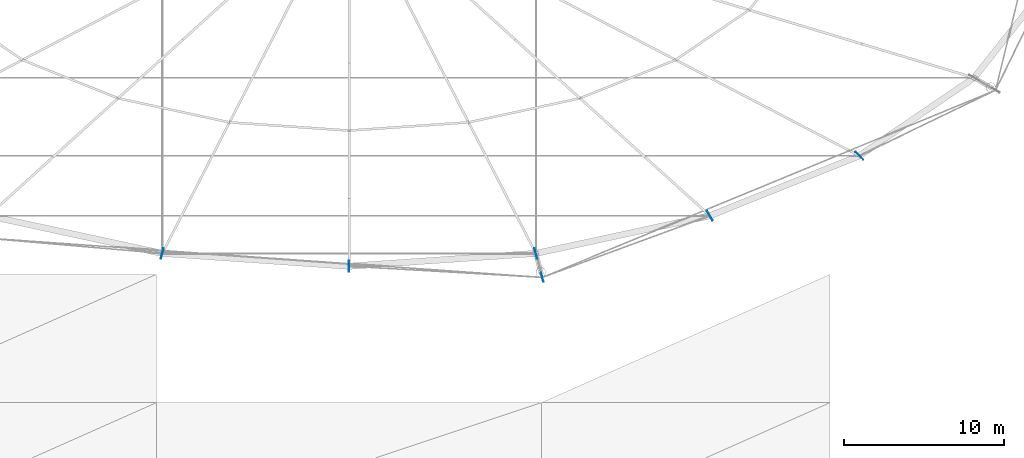
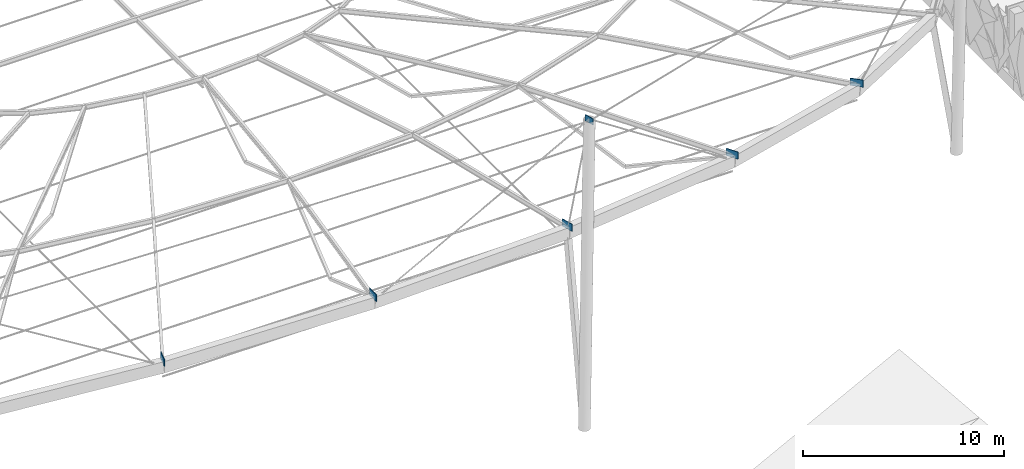
# One storey, part 42 of 96: 6 plates.
"""IFC4 building model written with IfcOpenShell, lengths in metres."""

import ifcopenshell
import ifcopenshell.guid

model = None  # the IFC model being written
_history = None  # IfcOwnerHistory: only IFC2X3 demands one
_inside = {}  # id of a spatial element -> (the spatial element, [elements in it])
_under = {}  # id of a project, library or spatial element -> (it, [spatial elements below it])
_declared = {}  # id of a project -> (the project, [libraries it declares])
_typed = {}  # id of a type object -> (the type object, [elements of that type])
_made_of = {}  # id of a material, layer set ... -> (it, [elements and type objects made of it])


def new_model(schema):
    """Start an empty IFC model of exactly this schema.

    Asked for "IFC4X3", IfcOpenShell would pick the latest addendum, in which some entities
    have other attributes; the version numbers below select the first issue.
    IFC2X3 requires an IfcOwnerHistory on every rooted entity: one is made here for all.
    """
    global model, _history
    if schema == "IFC4X3":
        model = ifcopenshell.file(schema_version=(4, 3, 0, 0))
    else:
        model = ifcopenshell.file(schema=schema)
    _inside.clear()
    _under.clear()
    _declared.clear()
    _typed.clear()
    _made_of.clear()
    _history = None
    if model.schema == "IFC2X3":
        org = make("IfcOrganization", Name="unknown")
        user = make(
            "IfcPersonAndOrganization",
            ThePerson=make("IfcPerson", FamilyName="unknown"),
            TheOrganization=org,
        )
        app = make(
            "IfcApplication",
            ApplicationDeveloper=org,
            Version="unknown",
            ApplicationFullName="unknown",
            ApplicationIdentifier="unknown",
        )
        _history = make(
            "IfcOwnerHistory",
            OwningUser=user,
            OwningApplication=app,
            ChangeAction="ADDED",
            CreationDate=0,
        )
    return model


def make(cls, **values):
    """One entity of the class cls with the attributes given. An attribute that is None is left unset."""
    return model.create_entity(
        cls, **{name: value for name, value in values.items() if value is not None}
    )


def rooted(cls, **values):
    """An entity with a GlobalId (a new one), such as an element, a storey or a relation."""
    return make(cls, GlobalId=ifcopenshell.guid.new(), OwnerHistory=_history, **values)


def si_unit(unit_type, name, prefix=None):
    """IfcSIUnit, for example si_unit("LENGTHUNIT", "METRE", prefix="MILLI")."""
    return make("IfcSIUnit", UnitType=unit_type, Prefix=prefix, Name=name)


def derived_unit(unit_type, elements):
    """IfcDerivedUnit: a product of units, each with its exponent."""
    return make(
        "IfcDerivedUnit",
        Elements=[
            make("IfcDerivedUnitElement", Unit=unit, Exponent=power)
            for unit, power in elements
        ],
        UnitType=unit_type,
    )


def assignment(units):
    """IfcUnitAssignment: the units of a project."""
    return None if units is None else make("IfcUnitAssignment", Units=units)


def point(xyz):
    """IfcCartesianPoint."""
    return None if xyz is None else make("IfcCartesianPoint", Coordinates=xyz)


def direction(xyz):
    """IfcDirection."""
    return None if xyz is None else make("IfcDirection", DirectionRatios=xyz)


def frame(location, z_axis=None, x_axis=None):
    """IfcAxis2Placement3D, a coordinate frame: its origin and axes. An axis left out is left unset."""
    return make(
        "IfcAxis2Placement3D",
        Location=point(location),
        Axis=direction(z_axis),
        RefDirection=direction(x_axis),
    )


def frame_2d(location, x_axis=None):
    """IfcAxis2Placement2D, a coordinate frame in the plane: its origin and x axis."""
    return make(
        "IfcAxis2Placement2D", Location=point(location), RefDirection=direction(x_axis)
    )


def origin():
    """The frame at (0, 0, 0) with its axes left unset."""
    return frame((0.0, 0.0, 0.0))


def origin_2d():
    """The frame at (0, 0) in the plane with its x axis left unset."""
    return frame_2d((0.0, 0.0))


def place(relative_to, where):
    """IfcLocalPlacement: puts the frame where relative to a parent placement (None: the world)."""
    return make(
        "IfcLocalPlacement", PlacementRelTo=relative_to, RelativePlacement=where
    )


def context(
    kind, dimensions, precision=None, world=None, true_north=None, identifier=None
):
    """IfcGeometricRepresentationContext, for example the 3D "Model" context."""
    return make(
        "IfcGeometricRepresentationContext",
        ContextIdentifier=identifier,
        ContextType=kind,
        CoordinateSpaceDimension=dimensions,
        Precision=precision,
        WorldCoordinateSystem=world,
        TrueNorth=true_north,
    )


def subcontext(parent, identifier, kind, view, scale=None):
    """IfcGeometricRepresentationSubContext, for example "Body" below "Model"."""
    return make(
        "IfcGeometricRepresentationSubContext",
        ContextIdentifier=identifier,
        ContextType=kind,
        ParentContext=parent,
        TargetScale=scale,
        TargetView=view,
    )


def project(units=None, contexts=None):
    """IfcProject with its units and contexts."""
    return rooted(
        "IfcProject",
        Name="project",
        RepresentationContexts=contexts,
        UnitsInContext=assignment(units),
    )


def spatial(cls, under=None, at=None, **own):
    """A site, building, storey or space (cls), placed at a placement, below another one or the project."""
    s = rooted(cls, ObjectPlacement=at, **own)
    if under is not None:
        _under.setdefault(under.id(), (under, []))[1].append(s)
    return s


def profile(cls, at=None, kind="AREA", **sizes):
    """A parametric profile (cls). Its sizes go by their IFC names, for example OverallWidth=200.0."""
    return make(cls, ProfileType=kind, Position=at, **sizes)


def rectangle(**sizes):
    """IfcRectangleProfileDef."""
    return profile("IfcRectangleProfileDef", **sizes)


def extrude(swept, where, along, depth):
    """IfcExtrudedAreaSolid: the profile swept, set in the frame where, extruded along a direction by depth."""
    return make(
        "IfcExtrudedAreaSolid",
        SweptArea=swept,
        Position=where,
        ExtrudedDirection=direction(along),
        Depth=depth,
    )


def shape(context_of_items, identifier, shape_type, items):
    """IfcShapeRepresentation: the items that make up one representation, for example the "Body"."""
    return make(
        "IfcShapeRepresentation",
        ContextOfItems=context_of_items,
        RepresentationIdentifier=identifier,
        RepresentationType=shape_type,
        Items=items,
    )


def material(Name=None, Category=None):
    """IfcMaterial."""
    return make("IfcMaterial", Name=Name, Category=Category)


def layer(
    of_material, thickness, ventilated=None, Name=None, Category=None, Priority=None
):
    """IfcMaterialLayer: one layer of a wall or slab, of a material (None: an air gap)."""
    return make(
        "IfcMaterialLayer",
        Material=of_material,
        LayerThickness=thickness,
        IsVentilated=ventilated,
        Name=Name,
        Category=Category,
        Priority=Priority,
    )


def layer_set(layers, Name=None):
    """IfcMaterialLayerSet."""
    return make("IfcMaterialLayerSet", MaterialLayers=layers, LayerSetName=Name)


def made_of(thing, what):
    """Note that an element or type object is made of a material, layer set ...; save() writes the relation."""
    if what is not None:
        _made_of.setdefault(what.id(), (what, []))[1].append(thing)
    return thing


def type_object(cls, material=None, **own):
    """A type object (cls), such as IfcWallType, which elements share."""
    return made_of(rooted(cls, **own), material)


def element(
    cls,
    number,
    at=None,
    inside=None,
    cuts=None,
    type_object=None,
    material=None,
    context=None,
    identifier="Body",
    shape_type=None,
    held_by="IfcProductDefinitionShape",
    body=None,
    shapes=None,
    **own,
):
    """One element of the class cls, such as IfcWall. Its Tag is "e" and its number.

    at: its placement. inside: the storey or other place that contains it. cuts: it is an
    opening in that element (IfcRelVoidsElement). A single representation is given by context,
    identifier, shape_type and body (its items); several are given by shapes. held_by: the class
    of the entity that holds the representations. save() writes the other relations.
    """
    e = rooted(cls, Tag="e%d" % number, ObjectPlacement=at, **own)
    if body is not None:
        shapes = [shape(context, identifier, shape_type, body)]
    if shapes is not None:
        e.Representation = make(held_by, Representations=shapes)
    if inside is not None:
        _inside.setdefault(inside.id(), (inside, []))[1].append(e)
    if cuts is not None:
        rooted(
            "IfcRelVoidsElement", RelatingBuildingElement=cuts, RelatedOpeningElement=e
        )
    if type_object is not None:
        _typed.setdefault(type_object.id(), (type_object, []))[1].append(e)
    return made_of(e, material)


def aggregate(whole, parts):
    """IfcRelAggregates: a whole, such as a stair, and the parts it consists of."""
    return rooted("IfcRelAggregates", RelatingObject=whole, RelatedObjects=parts)


def save(model, path):
    """Write the relations noted so far, then the file.

    IfcRelAggregates (storeys below a building ...), IfcRelContainedInSpatialStructure (elements
    in a storey), IfcRelDefinesByType, IfcRelAssociatesMaterial and IfcRelDeclares: one each for
    every whole, place, type object, material and project.
    """
    for whole, parts in _under.values():
        aggregate(whole, parts)
    for where, things in _inside.values():
        rooted(
            "IfcRelContainedInSpatialStructure",
            RelatedElements=things,
            RelatingStructure=where,
        )
    for kind, things in _typed.values():
        rooted("IfcRelDefinesByType", RelatedObjects=things, RelatingType=kind)
    for what, things in _made_of.values():
        rooted("IfcRelAssociatesMaterial", RelatedObjects=things, RelatingMaterial=what)
    for by, libraries in _declared.values():
        rooted("IfcRelDeclares", RelatingContext=by, RelatedDefinitions=libraries)
    model.write(path)


model = new_model("IFC4")

# Units and contexts
model_context = context("Model", 3, precision=1e-05, world=origin(), true_north=direction((0.0, 1.0)))
body_context = subcontext(model_context, "Body", "Model", "MODEL_VIEW")
ifc_project = project(units=[si_unit("LENGTHUNIT", "METRE"), si_unit("AREAUNIT", "SQUARE_METRE"), si_unit("VOLUMEUNIT", "CUBIC_METRE"), si_unit("PLANEANGLEUNIT", "RADIAN"), si_unit("MASSUNIT", "GRAM", prefix="KILO"), si_unit("THERMODYNAMICTEMPERATUREUNIT", "KELVIN"), derived_unit("THERMALTRANSMITTANCEUNIT", [(si_unit("POWERUNIT", "WATT"), 1), (si_unit("AREAUNIT", "SQUARE_METRE"), -1), (si_unit("THERMODYNAMICTEMPERATUREUNIT", "KELVIN"), -1)])], contexts=[model_context])

# Site, building, storey
site_placement = place(None, origin())
site = spatial("IfcSite", under=ifc_project, at=site_placement, CompositionType="ELEMENT")
building_placement = place(site_placement, origin())
building = spatial("IfcBuilding", under=site, at=building_placement, Name="Haiyu Intermodal Mobility Hub", CompositionType="ELEMENT")
storey_placement = place(building_placement, frame((0.0, 0.0, 9.5)))
storey = spatial("IfcBuildingStorey", under=building, at=storey_placement, Name="L02", CompositionType="ELEMENT", Elevation=9.5)

# Plates
ifc_material = material(Name="Steel Q355C", Category="steel")
ifc_layer_1 = layer(ifc_material, 0.035888671875)
ifc_layer_set_1 = layer_set([ifc_layer_1], Name="Steel Q355C")
plate_type_1 = type_object("IfcPlateType", Name="PLT-GP01", PredefinedType="USERDEFINED", material=ifc_layer_set_1)
for number, where, z_axis, x_axis, name in (
    (1, (96.35302734375, 41.301025390625, 11.5380859375), (0.0, 0.0, 1.0), (-0.258819045103, -0.965925826289, 0.0), "Ring Cable Clamp Gusset Plate GP-R18"),
    (2, (108.0, 40.5, 11.860107421875), (0.0, 0.0, 1.0), (0.0, -1.0, 0.0), "Ring Cable Clamp Gusset Plate GP-R19"),
    (3, (119.64697265625, 41.301025390625, 11.5380859375), (0.0, 0.0, 1.0), (0.258819045103, -0.965925826289, 0.0), "Ring Cable Clamp Gusset Plate GP-R20"),
    (4, (130.5, 43.64794921875, 10.659912109375), (0.0, 0.0, 1.0), (0.5, -0.866025403784, 0.0), "Ring Cable Clamp Gusset Plate GP-R21"),
    (5, (139.820068359375, 47.383056640625, 9.4599609375), (0.0, 0.0, 1.0), (0.707106781187, -0.707106781187, 0.0), "Ring Cable Clamp Gusset Plate GP-R22"),
):
    element("IfcPlate", number, at=place(storey_placement, frame(where, z_axis=z_axis, x_axis=x_axis)), inside=storey, type_object=plate_type_1, Name=name, ObjectType="GUSSET PLATE", PredefinedType="USERDEFINED", context=body_context, shape_type="SweptSolid", body=[
        extrude(rectangle(XDim=0.679931640625, YDim=0.035888671875, at=origin_2d()), origin(), (0.0, 0.0, 1.0), 0.43994140625),
    ])
ifc_layer_2 = layer(ifc_material, 0.031982421875)
ifc_layer_set_2 = layer_set([ifc_layer_2], Name="Steel Q355C")
plate_type_2 = type_object("IfcPlateType", Name="PLT-GP02", PredefinedType="USERDEFINED", material=ifc_layer_set_2)
plate_placement = place(storey_placement, frame((120.048095703125, 39.803955078125, 18.748046875), z_axis=(0.0, 0.0, 1.0), x_axis=(0.258819045103, -0.965925826289, 0.0)))
element("IfcPlate", 6, at=plate_placement, inside=storey, type_object=plate_type_2, Name="Masthead Stay Anchor Plate GP-M07", ObjectType="GUSSET PLATE", PredefinedType="USERDEFINED", context=body_context, shape_type="SweptSolid", body=[
    extrude(rectangle(XDim=0.56005859375, YDim=0.031982421875, at=origin_2d()), origin(), (0.0, 0.0, 1.0), 0.3798828125),
])

save(model, "model.ifc")
